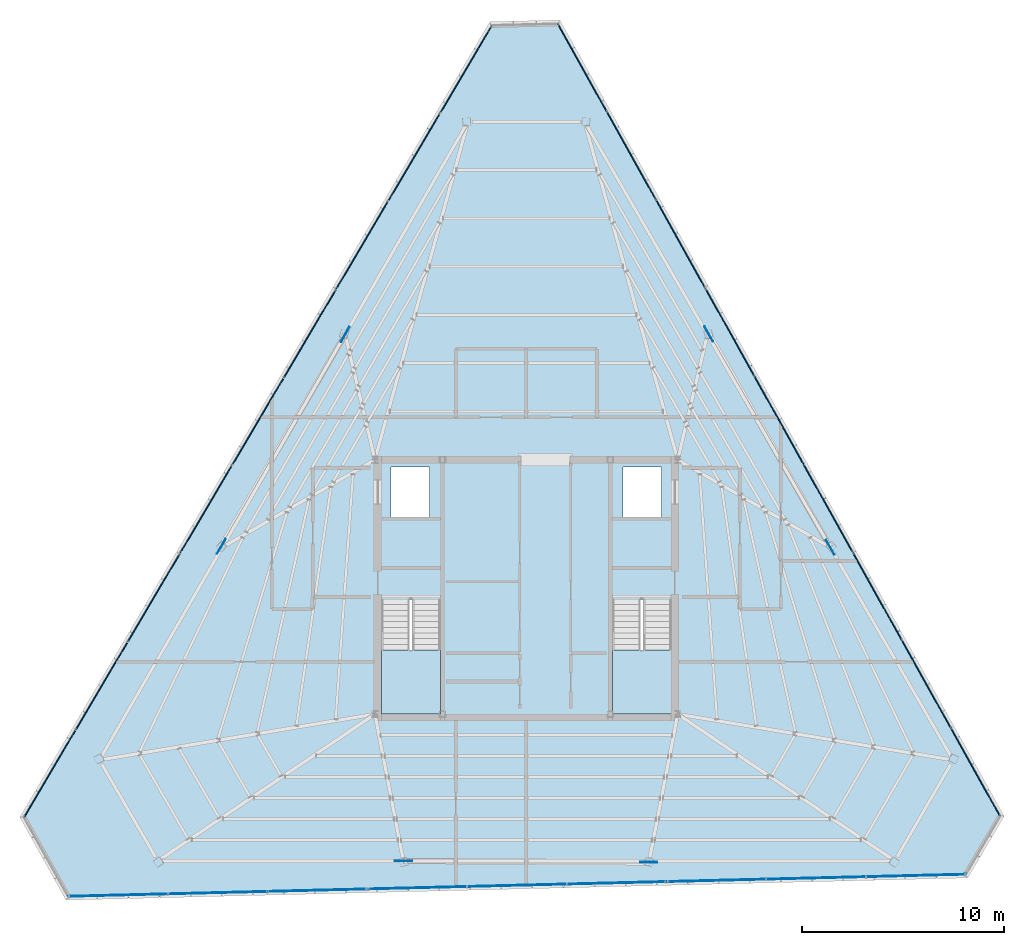
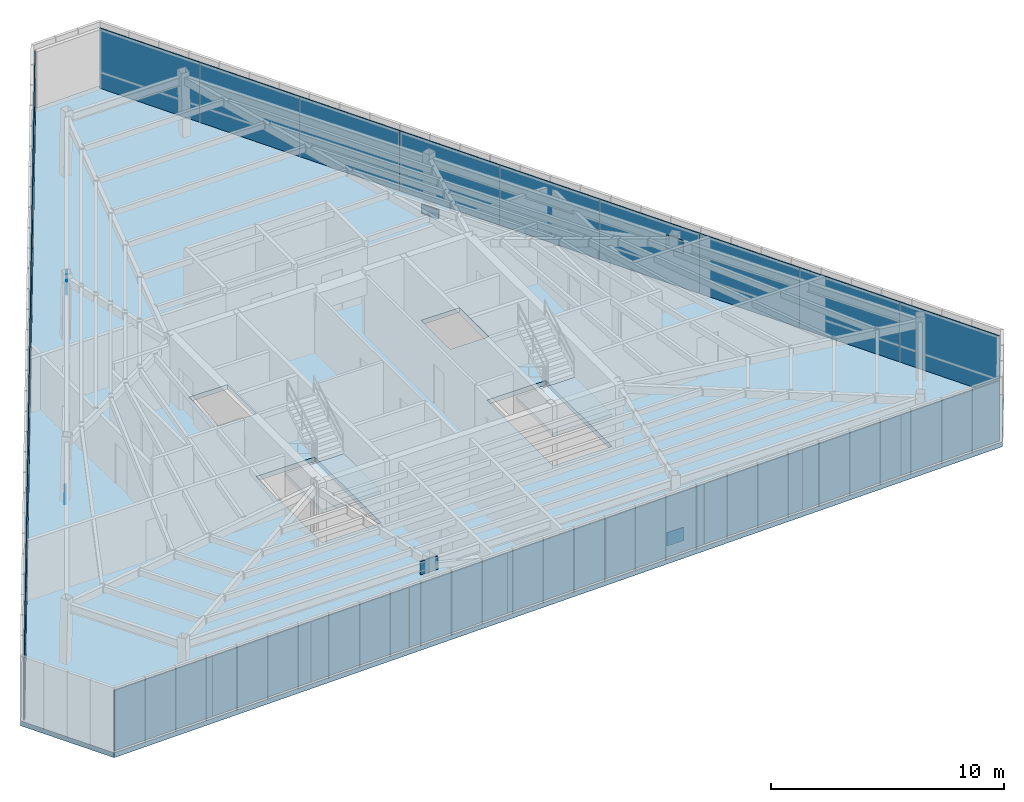
# One storey, part 38 of 47: 33 plates, 3 slabs, 11 elements without a shape of their own.
"""IFC4 building model written with IfcOpenShell, lengths in metres."""

from ifc_helpers import new_model, si_unit, direction, frame, origin, origin_2d, place, context, subcontext, project, spatial, polyline, rectangle, outline, extrude, source, transform, mapped, material, layer, layer_set, type_object, type_shapes, element, aggregate, save


model = new_model("IFC4")

# Units and contexts
model_context = context("Model", 3, precision=1e-05, world=origin(), true_north=direction((0.0, 1.0)))
body_context = subcontext(model_context, "Body", "Model", "MODEL_VIEW")
ifc_project = project(units=[si_unit("LENGTHUNIT", "METRE"), si_unit("AREAUNIT", "SQUARE_METRE"), si_unit("VOLUMEUNIT", "CUBIC_METRE"), si_unit("PLANEANGLEUNIT", "RADIAN"), si_unit("MASSUNIT", "GRAM", prefix="KILO")], contexts=[model_context])

# Site, building, storey
site_placement = place(None, origin())
site = spatial("IfcSite", under=ifc_project, at=site_placement, CompositionType="ELEMENT")
building_placement = place(site_placement, origin())
building = spatial("IfcBuilding", under=site, at=building_placement, Name="Caelisora Broadcast Tower", CompositionType="ELEMENT")
storey_placement = place(building_placement, frame((0.0, 0.0, 293.199951171875)))
storey = spatial("IfcBuildingStorey", under=building, at=storey_placement, Name="L77", CompositionType="ELEMENT", Elevation=293.199951171875)

# Slab
ifc_material_1 = material(Name="Concrete 45 MPa (AS 3600 S45)", Category="concrete")
ifc_layer_1 = layer(ifc_material_1, 0.25, Name="Concrete 45 MPa (AS 3600 S45)")
ifc_layer_set_1 = layer_set([ifc_layer_1], Name="Concrete 45 MPa (AS 3600 S45)")
slab_type_1 = type_object("IfcSlabType", Name="SL05", PredefinedType="FLOOR", material=ifc_layer_set_1)
slab_1_placement = place(storey_placement, frame((0.0, 0.0, -0.25)))
element("IfcSlab", 1, at=slab_1_placement, inside=storey, type_object=slab_type_1, Name="L77 suspended floor SL05", PredefinedType="FLOOR", context=body_context, shape_type="SweptSolid", body=[
    extrude(outline(polyline([(39.64404296875, 51.751953125), (36.2099609375, 51.66796875), (12.94189453125, 12.294921875), (15.217041015625, 8.218994140625), (59.85107421875, 9.31689453125), (61.64111328125, 12.345947265625), (39.64404296875, 51.751953125)]), holes=[polyline([(30.820068359375, 17.39990234375), (33.739990234375, 17.39990234375), (33.739990234375, 23.080078125), (30.820068359375, 23.080078125), (30.820068359375, 17.39990234375)]), polyline([(42.260009765625, 17.39990234375), (45.179931640625, 17.39990234375), (45.179931640625, 23.080078125), (42.260009765625, 23.080078125), (42.260009765625, 17.39990234375)]), polyline([(42.800048828125, 27.14990234375), (44.699951171875, 27.14990234375), (44.699951171875, 29.64990234375), (42.800048828125, 29.64990234375), (42.800048828125, 27.14990234375)]), polyline([(31.300048828125, 27.14990234375), (33.199951171875, 27.14990234375), (33.199951171875, 29.64990234375), (31.300048828125, 29.64990234375), (31.300048828125, 27.14990234375)])]), origin(), (0.0, 0.0, 1.0), 0.25),
])

# Stair, slab
ifc_material_2 = material(Name="Concrete 40 MPa (AS 3600 N40)", Category="concrete")
stair_type_1 = type_object("IfcStairType", Name="ST-1", PredefinedType="HALF_TURN_STAIR", material=ifc_material_2)
stair_1_placement = place(storey_placement, origin())
stair_1 = element("IfcStair", 2, at=stair_1_placement, inside=storey, type_object=stair_type_1, Name="L77 West Fire-Isolated Tower Stair", PredefinedType="HALF_TURN_STAIR")
ifc_layer_2 = layer(ifc_material_2, 0.199951171875, Name="Concrete 40 MPa (AS 3600 N40)")
ifc_layer_set_2 = layer_set([ifc_layer_2], Name="Concrete 40 MPa (AS 3600 N40)")
slab_type_2 = type_object("IfcSlabType", Name="STL-1", PredefinedType="LANDING", material=ifc_layer_set_2)
slab_2_placement = place(storey_placement, frame((0.0, 0.0, 1.5)))
slab_2 = element("IfcSlab", 3, at=slab_2_placement, type_object=slab_type_2, Name="ST-1 landing 1", PredefinedType="LANDING", context=body_context, shape_type="SweptSolid", body=[
    extrude(outline(polyline([(30.820068359375, 20.580078125), (30.820068359375, 17.39990234375), (33.739990234375, 17.39990234375), (33.739990234375, 20.580078125), (30.820068359375, 20.580078125)])), origin(), (0.0, 0.0, 1.0), 0.199951171875),
])
aggregate(stair_1, [slab_2])

stair_type_2 = type_object("IfcStairType", Name="ST-2", PredefinedType="HALF_TURN_STAIR", material=ifc_material_2)
stair_2_placement = place(storey_placement, origin())
stair_2 = element("IfcStair", 4, at=stair_2_placement, inside=storey, type_object=stair_type_2, Name="L77 East Fire-Isolated Tower Stair", PredefinedType="HALF_TURN_STAIR")
slab_3_placement = place(storey_placement, frame((0.0, 0.0, 1.5)))
slab_3 = element("IfcSlab", 5, at=slab_3_placement, type_object=slab_type_2, Name="ST-2 landing 1", PredefinedType="LANDING", context=body_context, shape_type="SweptSolid", body=[
    extrude(outline(polyline([(42.260009765625, 20.580078125), (42.260009765625, 17.39990234375), (45.179931640625, 17.39990234375), (45.179931640625, 20.580078125), (42.260009765625, 20.580078125)])), origin(), (0.0, 0.0, 1.0), 0.199951171875),
])
aggregate(stair_2, [slab_3])

# Plates
ifc_material_3 = material(Name="Steel Grade 350 L15 (AS/NZS 3678)", Category="steel")
ifc_layer_3 = layer(ifc_material_3, 0.0400390625, Name="Steel Grade 350 L15 (AS/NZS 3678)")
ifc_layer_set_3 = layer_set([ifc_layer_3], Name="Steel Grade 350 L15 (AS/NZS 3678)")
plate_type_1 = type_object("IfcPlateType", Name="GP04", PredefinedType="USERDEFINED", material=ifc_layer_set_3)
shared_shape_1 = source(origin(), body_context, "Body", "SweptSolid", [
    extrude(rectangle(XDim=0.85009765625, YDim=0.0400390625, at=origin_2d()), origin(), (0.0, 0.0, 1.0), 0.699951171875),
])
type_shapes(plate_type_1, [shared_shape_1])
for number, where, z_axis, x_axis, name in (
    (6, (29.029296875, 36.205810546875, 2.47998046875), (0.0, 0.0, 1.0), (-0.5, -0.866025403784, 0.0), "L77 gusset plate GP04 (ND-L77-C02T)"),
    (7, (22.893310546875, 25.712890625, -0.22998046875), (0.0, 0.0, 1.0), (-0.5, -0.866025403784, 0.0), "L77 gusset plate GP04 (ND-L77-C03B)"),
    (8, (31.914794921875, 10.128173828125, 2.47998046875), (0.0, 0.0, 1.0), (1.0, 0.0, 0.0), "L77 gusset plate GP04 (ND-L77-C06T)"),
    (9, (44.06982421875, 10.060791015625, -0.22998046875), (0.0, 0.0, 1.0), (1.0, 0.0, 0.0), "L77 gusset plate GP04 (ND-L77-C07B)"),
    (10, (53.055908203125, 25.666015625, 2.47998046875), (0.0, 0.0, 1.0), (-0.5, 0.866025403784, 0.0), "L77 gusset plate GP04 (ND-L77-C10T)"),
    (11, (47.036865234375, 36.226318359375, -0.22998046875), (0.0, 0.0, 1.0), (-0.5, 0.866025403784, 0.0), "L77 gusset plate GP04 (ND-L77-C11B)"),
):
    element("IfcPlate", number, at=place(storey_placement, frame(where, z_axis=z_axis, x_axis=x_axis)), inside=storey, type_object=plate_type_1, Name=name, ObjectType="GUSSET PLATE", PredefinedType="USERDEFINED", context=body_context, shape_type="MappedRepresentation", body=[
        mapped(shared_shape_1, transform((0.0, 0.0, 0.0), scale=1.0)),
    ])

# Curtain wall, plates
ifc_material_4 = material(Name="Unitised Aluminium Insulated Shadow-Box Spandrel Curtain Wall", Category="aluminium")
curtain_wall_type = type_object("IfcCurtainWallType", Name="CW-SP3", PredefinedType="NOTDEFINED", material=ifc_material_4)
curtain_wall_1_placement = place(storey_placement, origin())
curtain_wall_1 = element("IfcCurtainWall", 12, at=curtain_wall_1_placement, inside=storey, type_object=curtain_wall_type, Name="L77 curtain wall CW-SP3", PredefinedType="NOTDEFINED")
ifc_material_5 = material(Name="Insulated Terracotta Shadow-Box Spandrel Panel", Category="aluminium")
ifc_layer_4 = layer(ifc_material_5, 0.0439453125, Name="Insulated Terracotta Shadow-Box Spandrel Panel")
ifc_layer_set_4 = layer_set([ifc_layer_4], Name="Insulated Terracotta Shadow-Box Spandrel Panel")
plate_type_2 = type_object("IfcPlateType", Name="CWP-10", PredefinedType="CURTAIN_PANEL", material=ifc_layer_set_4)
shared_shape_2 = source(origin(), body_context, "Body", "SweptSolid", [
    extrude(rectangle(XDim=4.9931640625, YDim=0.0439453125, at=origin_2d()), origin(), (0.0, 0.0, 1.0), 3.14990234375),
])
plate_1_placement = place(storey_placement, frame((40.77392578125, 49.420166015625, 0.0), z_axis=(0.0, 0.0, 1.0), x_axis=(0.487402531354, -0.87317740032, 0.0)))
plate_1 = element("IfcPlate", 13, at=plate_1_placement, type_object=plate_type_2, Name="L77-CW-B01 spandrel panel #1", PredefinedType="CURTAIN_PANEL", context=body_context, shape_type="MappedRepresentation", body=[
    mapped(shared_shape_2, transform((0.0, 0.0, 0.0), scale=1.0)),
])
plate_2_placement = place(storey_placement, frame((43.20751953125, 45.060302734375, 0.0), z_axis=(0.0, 0.0, 1.0), x_axis=(0.487402531354, -0.87317740032, 0.0)))
plate_2 = element("IfcPlate", 14, at=plate_2_placement, type_object=plate_type_2, Name="L77-CW-B01 spandrel panel #2", PredefinedType="CURTAIN_PANEL", context=body_context, shape_type="MappedRepresentation", body=[
    mapped(shared_shape_2, transform((0.0, 0.0, 0.0), scale=1.0)),
])
plate_3_placement = place(storey_placement, frame((45.641357421875, 40.7001953125, 0.0), z_axis=(0.0, 0.0, 1.0), x_axis=(0.487402531354, -0.87317740032, 0.0)))
plate_3 = element("IfcPlate", 15, at=plate_3_placement, type_object=plate_type_2, Name="L77-CW-B01 spandrel panel #3", PredefinedType="CURTAIN_PANEL", context=body_context, shape_type="MappedRepresentation", body=[
    mapped(shared_shape_2, transform((0.0, 0.0, 0.0), scale=1.0)),
])
aggregate(curtain_wall_1, [plate_1, plate_2, plate_3])

curtain_wall_2_placement = place(storey_placement, origin())
curtain_wall_2 = element("IfcCurtainWall", 16, at=curtain_wall_2_placement, inside=storey, type_object=curtain_wall_type, Name="L77 curtain wall CW-SP3", PredefinedType="NOTDEFINED")
plate_4_placement = place(storey_placement, frame((55.383544921875, 23.247802734375, 0.0), z_axis=(0.0, 0.0, 1.0), x_axis=(0.487402531354, -0.87317740032, 0.0)))
plate_4 = element("IfcPlate", 17, at=plate_4_placement, type_object=plate_type_2, Name="L77-CW-B03 spandrel panel #1", PredefinedType="CURTAIN_PANEL", context=body_context, shape_type="MappedRepresentation", body=[
    mapped(shared_shape_2, transform((0.0, 0.0, 0.0), scale=1.0)),
])
plate_5_placement = place(storey_placement, frame((57.8173828125, 18.8876953125, 0.0), z_axis=(0.0, 0.0, 1.0), x_axis=(0.487402531354, -0.87317740032, 0.0)))
plate_5 = element("IfcPlate", 18, at=plate_5_placement, type_object=plate_type_2, Name="L77-CW-B03 spandrel panel #2", PredefinedType="CURTAIN_PANEL", context=body_context, shape_type="MappedRepresentation", body=[
    mapped(shared_shape_2, transform((0.0, 0.0, 0.0), scale=1.0)),
])
plate_6_placement = place(storey_placement, frame((60.251220703125, 14.52783203125, 0.0), z_axis=(0.0, 0.0, 1.0), x_axis=(0.487402531354, -0.87317740032, 0.0)))
plate_6 = element("IfcPlate", 19, at=plate_6_placement, type_object=plate_type_2, Name="L77-CW-B03 spandrel panel #3", PredefinedType="CURTAIN_PANEL", context=body_context, shape_type="MappedRepresentation", body=[
    mapped(shared_shape_2, transform((0.0, 0.0, 0.0), scale=1.0)),
])
aggregate(curtain_wall_2, [plate_4, plate_5, plate_6])

curtain_wall_3_placement = place(storey_placement, origin())
curtain_wall_3 = element("IfcCurtainWall", 20, at=curtain_wall_3_placement, inside=storey, type_object=curtain_wall_type, Name="L77 curtain wall CW-SP3", PredefinedType="NOTDEFINED")
shared_shape_3 = source(origin(), body_context, "Body", "SweptSolid", [
    extrude(rectangle(XDim=4.991455078125, YDim=0.0439453125, at=origin_2d()), origin(), (0.0, 0.0, 1.0), 3.14990234375),
])
plate_7_placement = place(storey_placement, frame((48.07958984375, 36.33251953125, 0.0), z_axis=(0.0, 0.0, 1.0), x_axis=(0.487402531354, -0.87317740032, 0.0)))
plate_7 = element("IfcPlate", 21, at=plate_7_placement, type_object=plate_type_2, Name="L77-CW-B02 spandrel panel #1", PredefinedType="CURTAIN_PANEL", context=body_context, shape_type="MappedRepresentation", body=[
    mapped(shared_shape_3, transform((0.0, 0.0, 0.0), scale=1.0)),
])
plate_8_placement = place(storey_placement, frame((50.512451171875, 31.97412109375, 0.0), z_axis=(0.0, 0.0, 1.0), x_axis=(0.487402531354, -0.87317740032, 0.0)))
plate_8 = element("IfcPlate", 22, at=plate_8_placement, type_object=plate_type_2, Name="L77-CW-B02 spandrel panel #2", PredefinedType="CURTAIN_PANEL", context=body_context, shape_type="MappedRepresentation", body=[
    mapped(shared_shape_3, transform((0.0, 0.0, 0.0), scale=1.0)),
])
plate_9_placement = place(storey_placement, frame((52.9453125, 27.615478515625, 0.0), z_axis=(0.0, 0.0, 1.0), x_axis=(0.487402531354, -0.87317740032, 0.0)))
plate_9 = element("IfcPlate", 23, at=plate_9_placement, type_object=plate_type_2, Name="L77-CW-B02 spandrel panel #3", PredefinedType="CURTAIN_PANEL", context=body_context, shape_type="MappedRepresentation", body=[
    mapped(shared_shape_3, transform((0.0, 0.0, 0.0), scale=1.0)),
])
aggregate(curtain_wall_3, [plate_7, plate_8, plate_9])

curtain_wall_4_placement = place(storey_placement, origin())
curtain_wall_4 = element("IfcCurtainWall", 24, at=curtain_wall_4_placement, inside=storey, type_object=curtain_wall_type, Name="L77 curtain wall CW-SP3", PredefinedType="NOTDEFINED")
shared_shape_4 = source(origin(), body_context, "Body", "SweptSolid", [
    extrude(rectangle(XDim=4.939697265625, YDim=0.0439453125, at=origin_2d()), origin(), (0.0, 0.0, 1.0), 3.14990234375),
])
plate_10_placement = place(storey_placement, frame((57.294921875, 9.404296875, 0.0), z_axis=(0.0, 0.0, 1.0), x_axis=(-0.999697210335, -0.024606658605, 0.0)))
plate_10 = element("IfcPlate", 25, at=plate_10_placement, type_object=plate_type_2, Name="L77-CW-B05 spandrel panel #1", PredefinedType="CURTAIN_PANEL", context=body_context, shape_type="MappedRepresentation", body=[
    mapped(shared_shape_4, transform((0.0, 0.0, 0.0), scale=1.0)),
])
plate_11_placement = place(storey_placement, frame((52.3564453125, 9.28271484375, 0.0), z_axis=(0.0, 0.0, 1.0), x_axis=(-0.999697210335, -0.024606658605, 0.0)))
plate_11 = element("IfcPlate", 26, at=plate_11_placement, type_object=plate_type_2, Name="L77-CW-B05 spandrel panel #2", PredefinedType="CURTAIN_PANEL", context=body_context, shape_type="MappedRepresentation", body=[
    mapped(shared_shape_4, transform((0.0, 0.0, 0.0), scale=1.0)),
])
plate_12_placement = place(storey_placement, frame((47.418212890625, 9.1611328125, 0.0), z_axis=(0.0, 0.0, 1.0), x_axis=(-0.999697210335, -0.024606658605, 0.0)))
plate_12 = element("IfcPlate", 27, at=plate_12_placement, type_object=plate_type_2, Name="L77-CW-B05 spandrel panel #3", PredefinedType="CURTAIN_PANEL", context=body_context, shape_type="MappedRepresentation", body=[
    mapped(shared_shape_4, transform((0.0, 0.0, 0.0), scale=1.0)),
])
aggregate(curtain_wall_4, [plate_10, plate_11, plate_12])

curtain_wall_5_placement = place(storey_placement, origin())
curtain_wall_5 = element("IfcCurtainWall", 28, at=curtain_wall_5_placement, inside=storey, type_object=curtain_wall_type, Name="L77 curtain wall CW-SP3", PredefinedType="NOTDEFINED")
plate_13_placement = place(storey_placement, frame((27.64990234375, 8.6748046875, 0.0), z_axis=(0.0, 0.0, 1.0), x_axis=(-0.999697210335, -0.024606658605, 0.0)))
plate_13 = element("IfcPlate", 29, at=plate_13_placement, type_object=plate_type_2, Name="L77-CW-B07 spandrel panel #1", PredefinedType="CURTAIN_PANEL", context=body_context, shape_type="MappedRepresentation", body=[
    mapped(shared_shape_4, transform((0.0, 0.0, 0.0), scale=1.0)),
])
plate_14_placement = place(storey_placement, frame((22.71142578125, 8.55322265625, 0.0), z_axis=(0.0, 0.0, 1.0), x_axis=(-0.999697210335, -0.024606658605, 0.0)))
plate_14 = element("IfcPlate", 30, at=plate_14_placement, type_object=plate_type_2, Name="L77-CW-B07 spandrel panel #2", PredefinedType="CURTAIN_PANEL", context=body_context, shape_type="MappedRepresentation", body=[
    mapped(shared_shape_4, transform((0.0, 0.0, 0.0), scale=1.0)),
])
plate_15_placement = place(storey_placement, frame((17.773193359375, 8.431884765625, 0.0), z_axis=(0.0, 0.0, 1.0), x_axis=(-0.999697210335, -0.024606658605, 0.0)))
plate_15 = element("IfcPlate", 31, at=plate_15_placement, type_object=plate_type_2, Name="L77-CW-B07 spandrel panel #3", PredefinedType="CURTAIN_PANEL", context=body_context, shape_type="MappedRepresentation", body=[
    mapped(shared_shape_4, transform((0.0, 0.0, 0.0), scale=1.0)),
])
aggregate(curtain_wall_5, [plate_13, plate_14, plate_15])

curtain_wall_6_placement = place(storey_placement, origin())
curtain_wall_6 = element("IfcCurtainWall", 32, at=curtain_wall_6_placement, inside=storey, type_object=curtain_wall_type, Name="L77 curtain wall CW-SP3", PredefinedType="NOTDEFINED")
shared_shape_5 = source(origin(), body_context, "Body", "SweptSolid", [
    extrude(rectangle(XDim=4.938232421875, YDim=0.0439453125, at=origin_2d()), origin(), (0.0, 0.0, 1.0), 3.14990234375),
])
plate_16_placement = place(storey_placement, frame((42.470703125, 9.03955078125, 0.0), z_axis=(0.0, 0.0, 1.0), x_axis=(-0.999697210335, -0.024606658605, 0.0)))
plate_16 = element("IfcPlate", 33, at=plate_16_placement, type_object=plate_type_2, Name="L77-CW-B06 spandrel panel #1", PredefinedType="CURTAIN_PANEL", context=body_context, shape_type="MappedRepresentation", body=[
    mapped(shared_shape_5, transform((0.0, 0.0, 0.0), scale=1.0)),
])
plate_17_placement = place(storey_placement, frame((37.533935546875, 8.91796875, 0.0), z_axis=(0.0, 0.0, 1.0), x_axis=(-0.999697210335, -0.024606658605, 0.0)))
plate_17 = element("IfcPlate", 34, at=plate_17_placement, type_object=plate_type_2, Name="L77-CW-B06 spandrel panel #2", PredefinedType="CURTAIN_PANEL", context=body_context, shape_type="MappedRepresentation", body=[
    mapped(shared_shape_5, transform((0.0, 0.0, 0.0), scale=1.0)),
])
plate_18_placement = place(storey_placement, frame((32.597412109375, 8.79638671875, 0.0), z_axis=(0.0, 0.0, 1.0), x_axis=(-0.999697210335, -0.024606658605, 0.0)))
plate_18 = element("IfcPlate", 35, at=plate_18_placement, type_object=plate_type_2, Name="L77-CW-B06 spandrel panel #3", PredefinedType="CURTAIN_PANEL", context=body_context, shape_type="MappedRepresentation", body=[
    mapped(shared_shape_5, transform((0.0, 0.0, 0.0), scale=1.0)),
])
aggregate(curtain_wall_6, [plate_16, plate_17, plate_18])

curtain_wall_7_placement = place(storey_placement, origin())
curtain_wall_7 = element("IfcCurtainWall", 36, at=curtain_wall_7_placement, inside=storey, type_object=curtain_wall_type, Name="L77 curtain wall CW-SP3", PredefinedType="NOTDEFINED")
shared_shape_6 = source(origin(), body_context, "Body", "SweptSolid", [
    extrude(rectangle(XDim=5.06103515625, YDim=0.0439453125, at=origin_2d()), origin(), (0.0, 0.0, 1.0), 3.14990234375),
])
plate_19_placement = place(storey_placement, frame((14.402587890625, 14.4716796875, 0.0), z_axis=(0.0, 0.0, 1.0), x_axis=(0.508740929096, 0.860919663536, 0.0)))
plate_19 = element("IfcPlate", 37, at=plate_19_placement, type_object=plate_type_2, Name="L77-CW-B09 spandrel panel #1", PredefinedType="CURTAIN_PANEL", context=body_context, shape_type="MappedRepresentation", body=[
    mapped(shared_shape_6, transform((0.0, 0.0, 0.0), scale=1.0)),
])
plate_20_placement = place(storey_placement, frame((16.977294921875, 18.82861328125, 0.0), z_axis=(0.0, 0.0, 1.0), x_axis=(0.508740929096, 0.860919663536, 0.0)))
plate_20 = element("IfcPlate", 38, at=plate_20_placement, type_object=plate_type_2, Name="L77-CW-B09 spandrel panel #2", PredefinedType="CURTAIN_PANEL", context=body_context, shape_type="MappedRepresentation", body=[
    mapped(shared_shape_6, transform((0.0, 0.0, 0.0), scale=1.0)),
])
plate_21_placement = place(storey_placement, frame((19.55224609375, 23.185791015625, 0.0), z_axis=(0.0, 0.0, 1.0), x_axis=(0.508740929096, 0.860919663536, 0.0)))
plate_21 = element("IfcPlate", 39, at=plate_21_placement, type_object=plate_type_2, Name="L77-CW-B09 spandrel panel #3", PredefinedType="CURTAIN_PANEL", context=body_context, shape_type="MappedRepresentation", body=[
    mapped(shared_shape_6, transform((0.0, 0.0, 0.0), scale=1.0)),
])
aggregate(curtain_wall_7, [plate_19, plate_20, plate_21])

curtain_wall_8_placement = place(storey_placement, origin())
curtain_wall_8 = element("IfcCurtainWall", 40, at=curtain_wall_8_placement, inside=storey, type_object=curtain_wall_type, Name="L77 curtain wall CW-SP3", PredefinedType="NOTDEFINED")
plate_22_placement = place(storey_placement, frame((29.859619140625, 40.627197265625, 0.0), z_axis=(0.0, 0.0, 1.0), x_axis=(0.508740929096, 0.860919663536, 0.0)))
plate_22 = element("IfcPlate", 41, at=plate_22_placement, type_object=plate_type_2, Name="L77-CW-B11 spandrel panel #1", PredefinedType="CURTAIN_PANEL", context=body_context, shape_type="MappedRepresentation", body=[
    mapped(shared_shape_6, transform((0.0, 0.0, 0.0), scale=1.0)),
])
plate_23_placement = place(storey_placement, frame((32.4345703125, 44.984375, 0.0), z_axis=(0.0, 0.0, 1.0), x_axis=(0.508740929096, 0.860919663536, 0.0)))
plate_23 = element("IfcPlate", 42, at=plate_23_placement, type_object=plate_type_2, Name="L77-CW-B11 spandrel panel #2", PredefinedType="CURTAIN_PANEL", context=body_context, shape_type="MappedRepresentation", body=[
    mapped(shared_shape_6, transform((0.0, 0.0, 0.0), scale=1.0)),
])
plate_24_placement = place(storey_placement, frame((35.009521484375, 49.34130859375, 0.0), z_axis=(0.0, 0.0, 1.0), x_axis=(0.508740929096, 0.860919663536, 0.0)))
plate_24 = element("IfcPlate", 43, at=plate_24_placement, type_object=plate_type_2, Name="L77-CW-B11 spandrel panel #3", PredefinedType="CURTAIN_PANEL", context=body_context, shape_type="MappedRepresentation", body=[
    mapped(shared_shape_6, transform((0.0, 0.0, 0.0), scale=1.0)),
])
aggregate(curtain_wall_8, [plate_22, plate_23, plate_24])

curtain_wall_9_placement = place(storey_placement, origin())
curtain_wall_9 = element("IfcCurtainWall", 44, at=curtain_wall_9_placement, inside=storey, type_object=curtain_wall_type, Name="L77 curtain wall CW-SP3", PredefinedType="NOTDEFINED")
shared_shape_7 = source(origin(), body_context, "Body", "SweptSolid", [
    extrude(rectangle(XDim=5.059326171875, YDim=0.0439453125, at=origin_2d()), origin(), (0.0, 0.0, 1.0), 3.14990234375),
])
type_shapes(plate_type_2, [shared_shape_2, shared_shape_3, shared_shape_4, shared_shape_5, shared_shape_6, shared_shape_7])
plate_25_placement = place(storey_placement, frame((22.1318359375, 27.55078125, 0.0), z_axis=(0.0, 0.0, 1.0), x_axis=(0.508740929096, 0.860919663536, 0.0)))
plate_25 = element("IfcPlate", 45, at=plate_25_placement, type_object=plate_type_2, Name="L77-CW-B10 spandrel panel #1", PredefinedType="CURTAIN_PANEL", context=body_context, shape_type="MappedRepresentation", body=[
    mapped(shared_shape_7, transform((0.0, 0.0, 0.0), scale=1.0)),
])
plate_26_placement = place(storey_placement, frame((24.7060546875, 31.906494140625, 0.0), z_axis=(0.0, 0.0, 1.0), x_axis=(0.508740929096, 0.860919663536, 0.0)))
plate_26 = element("IfcPlate", 46, at=plate_26_placement, type_object=plate_type_2, Name="L77-CW-B10 spandrel panel #2", PredefinedType="CURTAIN_PANEL", context=body_context, shape_type="MappedRepresentation", body=[
    mapped(shared_shape_7, transform((0.0, 0.0, 0.0), scale=1.0)),
])
plate_27_placement = place(storey_placement, frame((27.280029296875, 36.26220703125, 0.0), z_axis=(0.0, 0.0, 1.0), x_axis=(0.508740929096, 0.860919663536, 0.0)))
plate_27 = element("IfcPlate", 47, at=plate_27_placement, type_object=plate_type_2, Name="L77-CW-B10 spandrel panel #3", PredefinedType="CURTAIN_PANEL", context=body_context, shape_type="MappedRepresentation", body=[
    mapped(shared_shape_7, transform((0.0, 0.0, 0.0), scale=1.0)),
])
aggregate(curtain_wall_9, [plate_25, plate_26, plate_27])

save(model, "model.ifc")
